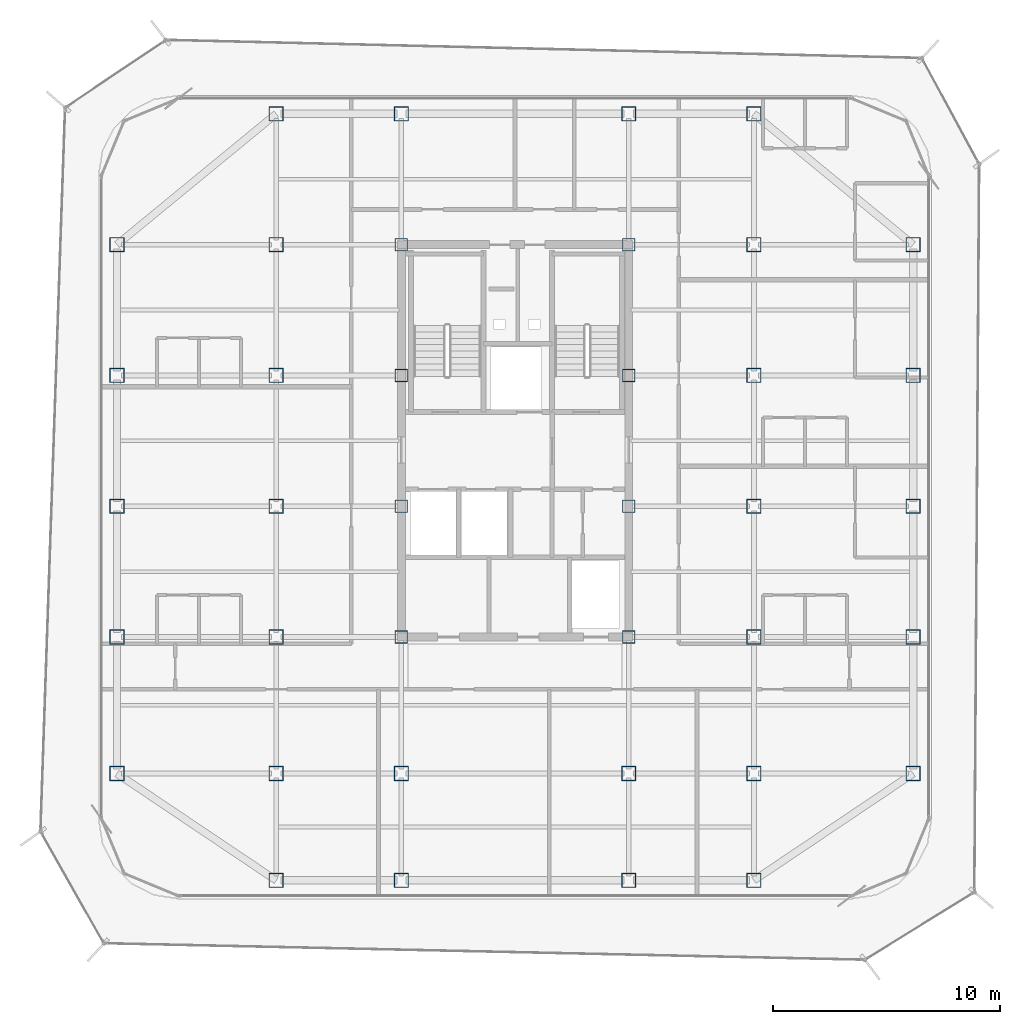
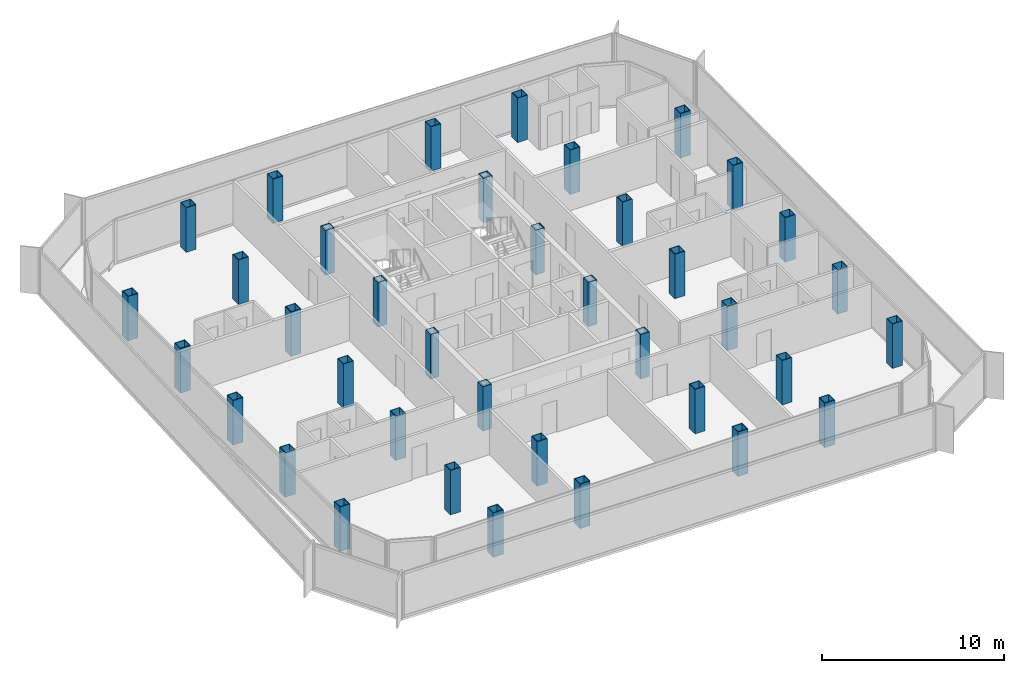
# One storey, part 1 of 15: 38 columns.
"""IFC4 building model written with IfcOpenShell, lengths in metres."""

import ifcopenshell
import ifcopenshell.guid

model = None  # the IFC model being written
_history = None  # IfcOwnerHistory: only IFC2X3 demands one
_inside = {}  # id of a spatial element -> (the spatial element, [elements in it])
_under = {}  # id of a project, library or spatial element -> (it, [spatial elements below it])
_declared = {}  # id of a project -> (the project, [libraries it declares])
_typed = {}  # id of a type object -> (the type object, [elements of that type])
_made_of = {}  # id of a material, layer set ... -> (it, [elements and type objects made of it])


def new_model(schema):
    """Start an empty IFC model of exactly this schema.

    Asked for "IFC4X3", IfcOpenShell would pick the latest addendum, in which some entities
    have other attributes; the version numbers below select the first issue.
    IFC2X3 requires an IfcOwnerHistory on every rooted entity: one is made here for all.
    """
    global model, _history
    if schema == "IFC4X3":
        model = ifcopenshell.file(schema_version=(4, 3, 0, 0))
    else:
        model = ifcopenshell.file(schema=schema)
    _inside.clear()
    _under.clear()
    _declared.clear()
    _typed.clear()
    _made_of.clear()
    _history = None
    if model.schema == "IFC2X3":
        org = make("IfcOrganization", Name="unknown")
        user = make(
            "IfcPersonAndOrganization",
            ThePerson=make("IfcPerson", FamilyName="unknown"),
            TheOrganization=org,
        )
        app = make(
            "IfcApplication",
            ApplicationDeveloper=org,
            Version="unknown",
            ApplicationFullName="unknown",
            ApplicationIdentifier="unknown",
        )
        _history = make(
            "IfcOwnerHistory",
            OwningUser=user,
            OwningApplication=app,
            ChangeAction="ADDED",
            CreationDate=0,
        )
    return model


def make(cls, **values):
    """One entity of the class cls with the attributes given. An attribute that is None is left unset."""
    return model.create_entity(
        cls, **{name: value for name, value in values.items() if value is not None}
    )


def rooted(cls, **values):
    """An entity with a GlobalId (a new one), such as an element, a storey or a relation."""
    return make(cls, GlobalId=ifcopenshell.guid.new(), OwnerHistory=_history, **values)


def si_unit(unit_type, name, prefix=None):
    """IfcSIUnit, for example si_unit("LENGTHUNIT", "METRE", prefix="MILLI")."""
    return make("IfcSIUnit", UnitType=unit_type, Prefix=prefix, Name=name)


def assignment(units):
    """IfcUnitAssignment: the units of a project."""
    return None if units is None else make("IfcUnitAssignment", Units=units)


def point(xyz):
    """IfcCartesianPoint."""
    return None if xyz is None else make("IfcCartesianPoint", Coordinates=xyz)


def direction(xyz):
    """IfcDirection."""
    return None if xyz is None else make("IfcDirection", DirectionRatios=xyz)


def frame(location, z_axis=None, x_axis=None):
    """IfcAxis2Placement3D, a coordinate frame: its origin and axes. An axis left out is left unset."""
    return make(
        "IfcAxis2Placement3D",
        Location=point(location),
        Axis=direction(z_axis),
        RefDirection=direction(x_axis),
    )


def frame_2d(location, x_axis=None):
    """IfcAxis2Placement2D, a coordinate frame in the plane: its origin and x axis."""
    return make(
        "IfcAxis2Placement2D", Location=point(location), RefDirection=direction(x_axis)
    )


def origin():
    """The frame at (0, 0, 0) with its axes left unset."""
    return frame((0.0, 0.0, 0.0))


def origin_2d():
    """The frame at (0, 0) in the plane with its x axis left unset."""
    return frame_2d((0.0, 0.0))


def place(relative_to, where):
    """IfcLocalPlacement: puts the frame where relative to a parent placement (None: the world)."""
    return make(
        "IfcLocalPlacement", PlacementRelTo=relative_to, RelativePlacement=where
    )


def context(
    kind, dimensions, precision=None, world=None, true_north=None, identifier=None
):
    """IfcGeometricRepresentationContext, for example the 3D "Model" context."""
    return make(
        "IfcGeometricRepresentationContext",
        ContextIdentifier=identifier,
        ContextType=kind,
        CoordinateSpaceDimension=dimensions,
        Precision=precision,
        WorldCoordinateSystem=world,
        TrueNorth=true_north,
    )


def subcontext(parent, identifier, kind, view, scale=None):
    """IfcGeometricRepresentationSubContext, for example "Body" below "Model"."""
    return make(
        "IfcGeometricRepresentationSubContext",
        ContextIdentifier=identifier,
        ContextType=kind,
        ParentContext=parent,
        TargetScale=scale,
        TargetView=view,
    )


def project(units=None, contexts=None):
    """IfcProject with its units and contexts."""
    return rooted(
        "IfcProject",
        Name="project",
        RepresentationContexts=contexts,
        UnitsInContext=assignment(units),
    )


def spatial(cls, under=None, at=None, **own):
    """A site, building, storey or space (cls), placed at a placement, below another one or the project."""
    s = rooted(cls, ObjectPlacement=at, **own)
    if under is not None:
        _under.setdefault(under.id(), (under, []))[1].append(s)
    return s


def profile(cls, at=None, kind="AREA", **sizes):
    """A parametric profile (cls). Its sizes go by their IFC names, for example OverallWidth=200.0."""
    return make(cls, ProfileType=kind, Position=at, **sizes)


def hollow_rectangle(**sizes):
    """IfcRectangleHollowProfileDef."""
    return profile("IfcRectangleHollowProfileDef", **sizes)


def extrude(swept, where, along, depth):
    """IfcExtrudedAreaSolid: the profile swept, set in the frame where, extruded along a direction by depth."""
    return make(
        "IfcExtrudedAreaSolid",
        SweptArea=swept,
        Position=where,
        ExtrudedDirection=direction(along),
        Depth=depth,
    )


def shape(context_of_items, identifier, shape_type, items):
    """IfcShapeRepresentation: the items that make up one representation, for example the "Body"."""
    return make(
        "IfcShapeRepresentation",
        ContextOfItems=context_of_items,
        RepresentationIdentifier=identifier,
        RepresentationType=shape_type,
        Items=items,
    )


def source(mapping_origin, context_of_items, identifier, shape_type, items):
    """IfcRepresentationMap: a shape defined once, which mapped items show again and again."""
    return make(
        "IfcRepresentationMap",
        MappingOrigin=mapping_origin,
        MappedRepresentation=shape(context_of_items, identifier, shape_type, items),
    )


def transform(
    local_origin,
    x_axis=None,
    y_axis=None,
    z_axis=None,
    scale=None,
    scale2=None,
    scale3=None,
    uniform=True,
):
    """IfcCartesianTransformationOperator3D, or its non-uniform kind. x_axis, y_axis, z_axis: its Axis1, 2, 3."""
    if uniform:
        return make(
            "IfcCartesianTransformationOperator3D",
            Axis1=direction(x_axis),
            Axis2=direction(y_axis),
            LocalOrigin=point(local_origin),
            Scale=scale,
            Axis3=direction(z_axis),
        )
    return make(
        "IfcCartesianTransformationOperator3DnonUniform",
        Axis1=direction(x_axis),
        Axis2=direction(y_axis),
        LocalOrigin=point(local_origin),
        Scale=scale,
        Axis3=direction(z_axis),
        Scale2=scale2,
        Scale3=scale3,
    )


def mapped(mapping_source, mapping_target):
    """IfcMappedItem: shows the shape of a source again, moved by a transform."""
    return make(
        "IfcMappedItem", MappingSource=mapping_source, MappingTarget=mapping_target
    )


def material(Name=None, Category=None):
    """IfcMaterial."""
    return make("IfcMaterial", Name=Name, Category=Category)


def material_profile(
    of_material, cross_section, Name=None, Category=None, Priority=None
):
    """IfcMaterialProfile: a cross section and its material."""
    return make(
        "IfcMaterialProfile",
        Name=Name,
        Material=of_material,
        Profile=cross_section,
        Priority=Priority,
        Category=Category,
    )


def profile_set(profiles, Name=None, composite=None):
    """IfcMaterialProfileSet."""
    return make(
        "IfcMaterialProfileSet",
        Name=Name,
        MaterialProfiles=profiles,
        CompositeProfile=composite,
    )


def made_of(thing, what):
    """Note that an element or type object is made of a material, layer set ...; save() writes the relation."""
    if what is not None:
        _made_of.setdefault(what.id(), (what, []))[1].append(thing)
    return thing


def type_object(cls, material=None, **own):
    """A type object (cls), such as IfcWallType, which elements share."""
    return made_of(rooted(cls, **own), material)


def element(
    cls,
    number,
    at=None,
    inside=None,
    cuts=None,
    type_object=None,
    material=None,
    context=None,
    identifier="Body",
    shape_type=None,
    held_by="IfcProductDefinitionShape",
    body=None,
    shapes=None,
    **own,
):
    """One element of the class cls, such as IfcWall. Its Tag is "e" and its number.

    at: its placement. inside: the storey or other place that contains it. cuts: it is an
    opening in that element (IfcRelVoidsElement). A single representation is given by context,
    identifier, shape_type and body (its items); several are given by shapes. held_by: the class
    of the entity that holds the representations. save() writes the other relations.
    """
    e = rooted(cls, Tag="e%d" % number, ObjectPlacement=at, **own)
    if body is not None:
        shapes = [shape(context, identifier, shape_type, body)]
    if shapes is not None:
        e.Representation = make(held_by, Representations=shapes)
    if inside is not None:
        _inside.setdefault(inside.id(), (inside, []))[1].append(e)
    if cuts is not None:
        rooted(
            "IfcRelVoidsElement", RelatingBuildingElement=cuts, RelatedOpeningElement=e
        )
    if type_object is not None:
        _typed.setdefault(type_object.id(), (type_object, []))[1].append(e)
    return made_of(e, material)


def aggregate(whole, parts):
    """IfcRelAggregates: a whole, such as a stair, and the parts it consists of."""
    return rooted("IfcRelAggregates", RelatingObject=whole, RelatedObjects=parts)


def save(model, path):
    """Write the relations noted so far, then the file.

    IfcRelAggregates (storeys below a building ...), IfcRelContainedInSpatialStructure (elements
    in a storey), IfcRelDefinesByType, IfcRelAssociatesMaterial and IfcRelDeclares: one each for
    every whole, place, type object, material and project.
    """
    for whole, parts in _under.values():
        aggregate(whole, parts)
    for where, things in _inside.values():
        rooted(
            "IfcRelContainedInSpatialStructure",
            RelatedElements=things,
            RelatingStructure=where,
        )
    for kind, things in _typed.values():
        rooted("IfcRelDefinesByType", RelatedObjects=things, RelatingType=kind)
    for what, things in _made_of.values():
        rooted("IfcRelAssociatesMaterial", RelatedObjects=things, RelatingMaterial=what)
    for by, libraries in _declared.values():
        rooted("IfcRelDeclares", RelatingContext=by, RelatedDefinitions=libraries)
    model.write(path)


model = new_model("IFC4")

# Units and contexts
model_context = context("Model", 3, precision=1e-05, world=origin(), true_north=direction((0.0, 1.0)))
body_context = subcontext(model_context, "Body", "Model", "MODEL_VIEW")
ifc_project = project(units=[si_unit("LENGTHUNIT", "METRE"), si_unit("AREAUNIT", "SQUARE_METRE"), si_unit("VOLUMEUNIT", "CUBIC_METRE"), si_unit("PLANEANGLEUNIT", "RADIAN"), si_unit("MASSUNIT", "GRAM", prefix="KILO")], contexts=[model_context])

# Site, building, storey
site_placement = place(None, origin())
site = spatial("IfcSite", under=ifc_project, at=site_placement, CompositionType="ELEMENT")
building_placement = place(site_placement, origin())
building = spatial("IfcBuilding", under=site, at=building_placement, Name="Kolveth Station Tower", CompositionType="ELEMENT")
storey_placement = place(building_placement, frame((0.0, 0.0, 248.89990234375)))
storey = spatial("IfcBuildingStorey", under=building, at=storey_placement, Name="L71", CompositionType="ELEMENT", Elevation=248.89990234375)

# Columns
ifc_material = material(Name="Steel S355", Category="steel")
ifc_material_profile_1 = material_profile(ifc_material, hollow_rectangle(XDim=0.639892578125, YDim=0.639892578125, WallThickness=0.034912109375, at=origin_2d()), Name="BOX640x640x35")
ifc_profile_set_1 = profile_set([ifc_material_profile_1], Name="Steel S355")
column_type_1 = type_object("IfcColumnType", Name="Col_C7", PredefinedType="COLUMN", material=ifc_profile_set_1)
shared_shape_1 = source(origin(), body_context, "Body", "SweptSolid", [
    extrude(hollow_rectangle(XDim=0.639892578125, YDim=0.639892578125, WallThickness=0.034912109375, at=origin_2d()), origin(), (0.0, 0.0, 1.0), 2.97998046875),
])
for number, where, z_axis, x_axis, name in (
    (1, (13.0, 0.800048828125, 0.0), (0.0, 0.0, 1.0), (1.0, 0.0, 0.0), "L71 Tower Column S-X130"),
    (2, (13.0, 34.5, 0.0), (0.0, 0.0, 1.0), (1.0, 0.0, 0.0), "L71 Tower Column N-X130"),
    (3, (18.5, 0.800048828125, 0.0), (0.0, 0.0, 1.0), (1.0, 0.0, 0.0), "L71 Tower Column S-X185"),
    (4, (18.5, 34.5, 0.0), (0.0, 0.0, 1.0), (1.0, 0.0, 0.0), "L71 Tower Column N-X185"),
    (5, (28.5, 0.800048828125, 0.0), (0.0, 0.0, 1.0), (1.0, 0.0, 0.0), "L71 Tower Column S-X285"),
    (6, (28.5, 34.5, 0.0), (0.0, 0.0, 1.0), (1.0, 0.0, 0.0), "L71 Tower Column N-X285"),
    (7, (34.0, 0.800048828125, 0.0), (0.0, 0.0, 1.0), (1.0, 0.0, 0.0), "L71 Tower Column S-X340"),
    (8, (34.0, 34.5, 0.0), (0.0, 0.0, 1.0), (1.0, 0.0, 0.0), "L71 Tower Column N-X340"),
    (9, (6.0, 5.5, 0.0), (0.0, 0.0, 1.0), (1.0, 0.0, 0.0), "L71 Tower Column W-Y55"),
    (10, (41.0, 5.5, 0.0), (0.0, 0.0, 1.0), (1.0, 0.0, 0.0), "L71 Tower Column E-Y55"),
    (11, (6.0, 11.5, 0.0), (0.0, 0.0, 1.0), (1.0, 0.0, 0.0), "L71 Tower Column W-Y115"),
    (12, (41.0, 11.5, 0.0), (0.0, 0.0, 1.0), (1.0, 0.0, 0.0), "L71 Tower Column E-Y115"),
    (13, (6.0, 17.25, 0.0), (0.0, 0.0, 1.0), (1.0, 0.0, 0.0), "L71 Tower Column W-Y172"),
    (14, (41.0, 17.25, 0.0), (0.0, 0.0, 1.0), (1.0, 0.0, 0.0), "L71 Tower Column E-Y172"),
    (15, (6.0, 23.0, 0.0), (0.0, 0.0, 1.0), (1.0, 0.0, 0.0), "L71 Tower Column W-Y230"),
    (16, (41.0, 23.0, 0.0), (0.0, 0.0, 1.0), (1.0, 0.0, 0.0), "L71 Tower Column E-Y230"),
    (17, (6.0, 28.75, 0.0), (0.0, 0.0, 1.0), (1.0, 0.0, 0.0), "L71 Tower Column W-Y287"),
    (18, (41.0, 28.75, 0.0), (0.0, 0.0, 1.0), (1.0, 0.0, 0.0), "L71 Tower Column E-Y287"),
    (19, (13.0, 5.5, 0.0), (0.0, 0.0, 1.0), (1.0, 0.0, 0.0), "L71 Tower Column G-130-55"),
    (20, (13.0, 11.5, 0.0), (0.0, 0.0, 1.0), (1.0, 0.0, 0.0), "L71 Tower Column G-130-115"),
    (21, (13.0, 17.25, 0.0), (0.0, 0.0, 1.0), (1.0, 0.0, 0.0), "L71 Tower Column G-130-172"),
    (22, (13.0, 23.0, 0.0), (0.0, 0.0, 1.0), (1.0, 0.0, 0.0), "L71 Tower Column G-130-230"),
    (23, (13.0, 28.75, 0.0), (0.0, 0.0, 1.0), (1.0, 0.0, 0.0), "L71 Tower Column G-130-287"),
    (24, (18.5, 5.5, 0.0), (0.0, 0.0, 1.0), (1.0, 0.0, 0.0), "L71 Tower Column G-185-55"),
    (25, (28.5, 5.5, 0.0), (0.0, 0.0, 1.0), (1.0, 0.0, 0.0), "L71 Tower Column G-285-55"),
    (26, (34.0, 5.5, 0.0), (0.0, 0.0, 1.0), (1.0, 0.0, 0.0), "L71 Tower Column G-340-55"),
    (27, (34.0, 11.5, 0.0), (0.0, 0.0, 1.0), (1.0, 0.0, 0.0), "L71 Tower Column G-340-115"),
    (28, (34.0, 17.25, 0.0), (0.0, 0.0, 1.0), (1.0, 0.0, 0.0), "L71 Tower Column G-340-172"),
    (29, (34.0, 23.0, 0.0), (0.0, 0.0, 1.0), (1.0, 0.0, 0.0), "L71 Tower Column G-340-230"),
    (30, (34.0, 28.75, 0.0), (0.0, 0.0, 1.0), (1.0, 0.0, 0.0), "L71 Tower Column G-340-287"),
):
    element("IfcColumn", number, at=place(storey_placement, frame(where, z_axis=z_axis, x_axis=x_axis)), inside=storey, type_object=column_type_1, Name=name, PredefinedType="COLUMN", context=body_context, shape_type="MappedRepresentation", body=[
        mapped(shared_shape_1, transform((0.0, 0.0, 0.0), x_axis=(1.0, 0.0, 0.0), y_axis=(0.0, 1.0, 0.0), z_axis=(0.0, 0.0, 1.0), scale=1.0)),
    ])
ifc_material_profile_2 = material_profile(ifc_material, hollow_rectangle(XDim=0.56005859375, YDim=0.56005859375, WallThickness=0.030029296875, at=origin_2d()), Name="BOX560x560x30")
ifc_profile_set_2 = profile_set([ifc_material_profile_2], Name="Steel S355")
column_type_2 = type_object("IfcColumnType", Name="Col_C8", PredefinedType="COLUMN", material=ifc_profile_set_2)
shared_shape_2 = source(origin(), body_context, "Body", "SweptSolid", [
    extrude(hollow_rectangle(XDim=0.56005859375, YDim=0.56005859375, WallThickness=0.030029296875, at=origin_2d()), origin(), (0.0, 0.0, 1.0), 2.97998046875),
])
for number, where, z_axis, x_axis, name in (
    (31, (18.5, 11.5, 0.0), (0.0, 0.0, 1.0), (1.0, 0.0, 0.0), "L71 Tower Column G-185-115"),
    (32, (18.5, 17.25, 0.0), (0.0, 0.0, 1.0), (1.0, 0.0, 0.0), "L71 Tower Column G-185-172"),
    (33, (18.5, 23.0, 0.0), (0.0, 0.0, 1.0), (1.0, 0.0, 0.0), "L71 Tower Column G-185-230"),
    (34, (18.5, 28.75, 0.0), (0.0, 0.0, 1.0), (1.0, 0.0, 0.0), "L71 Tower Column G-185-287"),
    (35, (28.5, 11.5, 0.0), (0.0, 0.0, 1.0), (1.0, 0.0, 0.0), "L71 Tower Column G-285-115"),
    (36, (28.5, 17.25, 0.0), (0.0, 0.0, 1.0), (1.0, 0.0, 0.0), "L71 Tower Column G-285-172"),
    (37, (28.5, 23.0, 0.0), (0.0, 0.0, 1.0), (1.0, 0.0, 0.0), "L71 Tower Column G-285-230"),
    (38, (28.5, 28.75, 0.0), (0.0, 0.0, 1.0), (1.0, 0.0, 0.0), "L71 Tower Column G-285-287"),
):
    element("IfcColumn", number, at=place(storey_placement, frame(where, z_axis=z_axis, x_axis=x_axis)), inside=storey, type_object=column_type_2, Name=name, PredefinedType="COLUMN", context=body_context, shape_type="MappedRepresentation", body=[
        mapped(shared_shape_2, transform((0.0, 0.0, 0.0), x_axis=(1.0, 0.0, 0.0), y_axis=(0.0, 1.0, 0.0), z_axis=(0.0, 0.0, 1.0), scale=1.0)),
    ])

save(model, "model.ifc")
